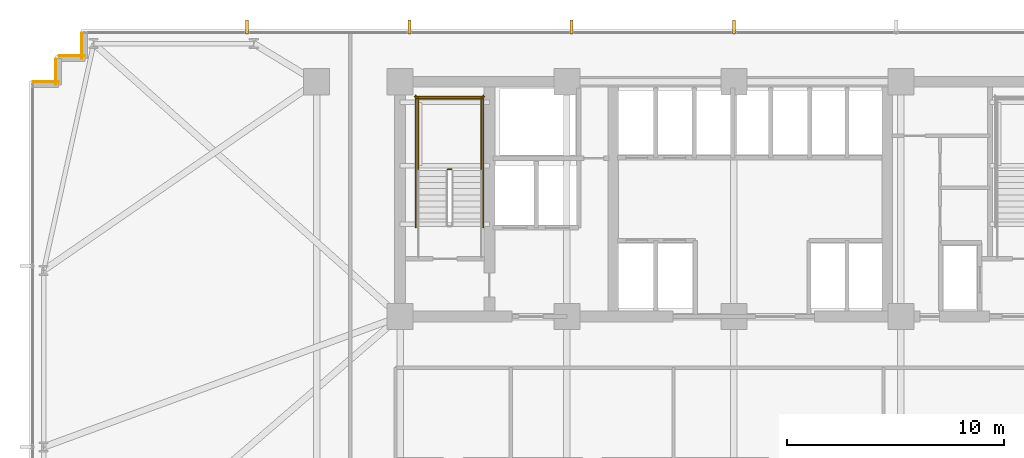
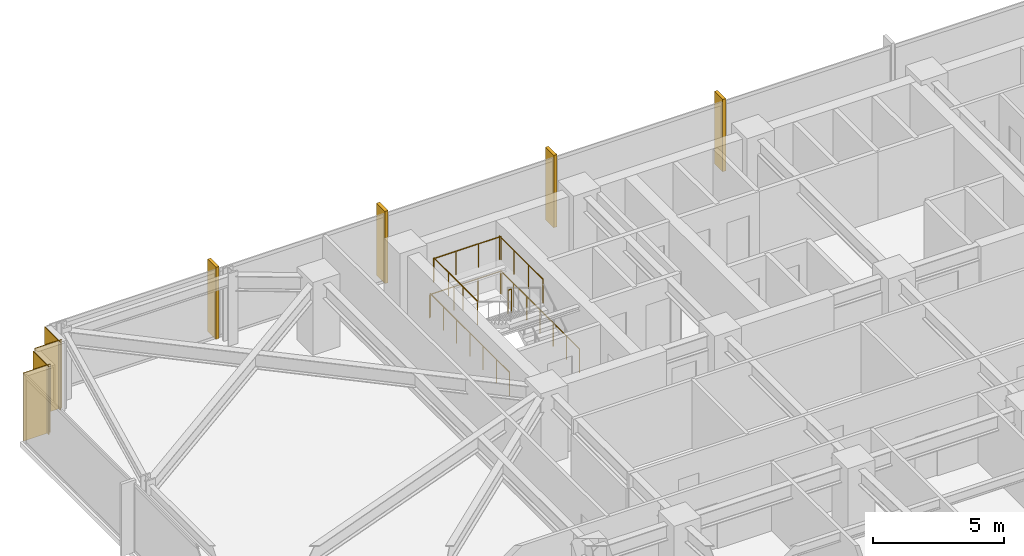
# One storey, part 30 of 32: 7 railings, 4 coverings, 4 shading devices.
"""IFC4 building model written with IfcOpenShell, lengths in metres."""

from ifc_helpers import new_model, si_unit, direction, frame, frame_2d, origin, origin_2d, place, context, subcontext, project, spatial, rectangle, circle, extrude, material, layer, layer_set, type_object, element, save


model = new_model("IFC4")

# Units and contexts
model_context = context("Model", 3, precision=1e-05, world=origin(), true_north=direction((0.0, 1.0)))
body_context = subcontext(model_context, "Body", "Model", "MODEL_VIEW")
ifc_project = project(units=[si_unit("LENGTHUNIT", "METRE"), si_unit("AREAUNIT", "SQUARE_METRE"), si_unit("VOLUMEUNIT", "CUBIC_METRE"), si_unit("PLANEANGLEUNIT", "RADIAN"), si_unit("MASSUNIT", "GRAM", prefix="KILO")], contexts=[model_context])

# Site, building, storey
site_placement = place(None, origin())
site = spatial("IfcSite", under=ifc_project, at=site_placement, CompositionType="ELEMENT")
building_placement = place(site_placement, origin())
building = spatial("IfcBuilding", under=site, at=building_placement, Name="Yelkora Congress Tower", CompositionType="ELEMENT")
storey_placement = place(building_placement, frame((0.0, 0.0, 57.60009765625)))
storey = spatial("IfcBuildingStorey", under=building, at=storey_placement, Name="L14", CompositionType="ELEMENT", Elevation=57.60009765625)

# Coverings
ifc_material_1 = material(Name="Anatolian bush-hammered limestone", Category="masonry")
ifc_layer_1 = layer(ifc_material_1, 0.0400390625)
ifc_layer_set_1 = layer_set([ifc_layer_1], Name="Anatolian bush-hammered limestone")
covering_type = type_object("IfcCoveringType", Name="COV-CLAD-SPANDREL-40", PredefinedType="CLADDING", material=ifc_layer_set_1)
covering_placement = place(storey_placement, frame((6.139892578125, 46.195068359375, 0.0), z_axis=(0.0, 0.0, 1.0), x_axis=(1.0, 0.0, 0.0)))
element("IfcCovering", 1, at=covering_placement, inside=storey, type_object=covering_type, Name="L14 Anatolian Limestone Cladding EW-L14-SR06", PredefinedType="CLADDING", context=body_context, shape_type="SweptSolid", body=[
    extrude(rectangle(XDim=1.2001953125, YDim=0.0400390625, at=frame_2d((0.60009765625, 0.0))), origin(), (0.0, 0.0, 1.0), 3.179931640625),
])
for number, where, z_axis, x_axis, name in (
    (2, (7.205078125, 46.06005859375, 0.0), (0.0, 0.0, 1.0), (0.0, 1.0, 0.0), "L14 Anatolian Limestone Cladding EW-L14-SR07"),
    (3, (7.340087890625, 47.39501953125, 0.0), (0.0, 0.0, 1.0), (1.0, 0.0, 0.0), "L14 Anatolian Limestone Cladding EW-L14-SR08"),
    (4, (8.405029296875, 47.260009765625, 0.0), (0.0, 0.0, 1.0), (0.0, 1.0, 0.0), "L14 Anatolian Limestone Cladding EW-L14-SR09"),
):
    element("IfcCovering", number, at=place(storey_placement, frame(where, z_axis=z_axis, x_axis=x_axis)), inside=storey, type_object=covering_type, Name=name, PredefinedType="CLADDING", context=body_context, shape_type="SweptSolid", body=[
        extrude(rectangle(XDim=1.199951171875, YDim=0.0400390625, at=frame_2d((0.60009765625, 0.0))), origin(), (0.0, 0.0, 1.0), 3.179931640625),
    ])

# Railings
ifc_material_2 = material(Name="Painted galvanised steel stair well guard with vertical infill", Category="steel")
ifc_layer_2 = layer(ifc_material_2, 0.06005859375)
ifc_layer_set_2 = layer_set([ifc_layer_2], Name="Painted galvanised steel stair well guard with vertical infill")
railing_type = type_object("IfcRailingType", Name="RAIL-STAIR-GUARD-1120", PredefinedType="GUARDRAIL", material=ifc_layer_set_2)
railing_1_placement = place(storey_placement, frame((25.39990234375, 42.169921875, 1.699951171875)))
element("IfcRailing", 5, at=railing_1_placement, inside=storey, type_object=railing_type, Name="ST-01 L14 Stair Well Guardrail 2", PredefinedType="GUARDRAIL", context=body_context, shape_type="SweptSolid", body=[
    extrude(circle(Radius=0.02392578125, at=origin_2d()), frame((0.0, 0.0, 1.09619140625), z_axis=(-1.0, 0.0, 0.0), x_axis=(0.0, -1.0, 0.0)), (0.0, 0.0, 1.0), 0.159912109375),
    extrude(circle(Radius=0.02099609375, at=origin_2d()), origin(), (0.0, 0.0, 1.0), 1.072021484375),
    extrude(circle(Radius=0.02099609375, at=origin_2d()), frame((-0.159912109375, 0.0, 0.0)), (0.0, 0.0, 1.0), 1.072021484375),
])
for number, where, name in (
    (6, (26.77001953125, 42.1201171875, 1.699951171875), "ST-01 L14 Stair Well Guardrail 3"),
    (7, (23.8701171875, 42.1201171875, 1.699951171875), "ST-01 L14 Stair Well Guardrail 4"),
):
    element("IfcRailing", number, at=place(storey_placement, frame(where)), inside=storey, type_object=railing_type, Name=name, PredefinedType="GUARDRAIL", context=body_context, shape_type="SweptSolid", body=[
        extrude(circle(Radius=0.02392578125, at=origin_2d()), frame((0.0, 0.0, 1.09619140625), z_axis=(0.0, 1.0, 0.0), x_axis=(-1.0, 0.0, 0.0)), (0.0, 0.0, 1.0), 3.349853515625),
        extrude(circle(Radius=0.02099609375, at=origin_2d()), origin(), (0.0, 0.0, 1.0), 1.072021484375),
        extrude(circle(Radius=0.02099609375, at=origin_2d()), frame((0.0, 1.11669921875, 0.0)), (0.0, 0.0, 1.0), 1.072021484375),
        extrude(circle(Radius=0.02099609375, at=origin_2d()), frame((0.0, 2.233154296875, 0.0)), (0.0, 0.0, 1.0), 1.072021484375),
        extrude(circle(Radius=0.02099609375, at=origin_2d()), frame((0.0, 3.349853515625, 0.0)), (0.0, 0.0, 1.0), 1.072021484375),
    ])
railing_2_placement = place(storey_placement, frame((26.820068359375, 45.419921875, 1.699951171875)))
element("IfcRailing", 8, at=railing_2_placement, inside=storey, type_object=railing_type, Name="ST-01 L14 Stair Well Guardrail 5", PredefinedType="GUARDRAIL", context=body_context, shape_type="SweptSolid", body=[
    extrude(circle(Radius=0.02392578125, at=origin_2d()), frame((0.0, 0.0, 1.09619140625), z_axis=(-1.0, 0.0, 0.0), x_axis=(0.0, -1.0, 0.0)), (0.0, 0.0, 1.0), 3.0),
    extrude(circle(Radius=0.02099609375, at=origin_2d()), origin(), (0.0, 0.0, 1.0), 1.072021484375),
    extrude(circle(Radius=0.02099609375, at=origin_2d()), frame((-1.0, 0.0, 0.0)), (0.0, 0.0, 1.0), 1.072021484375),
    extrude(circle(Radius=0.02099609375, at=origin_2d()), frame((-2.0, 0.0, 0.0)), (0.0, 0.0, 1.0), 1.072021484375),
    extrude(circle(Radius=0.02099609375, at=origin_2d()), frame((-3.0, 0.0, 0.0)), (0.0, 0.0, 1.0), 1.072021484375),
])
for number, where, name in (
    (9, (26.8701171875, 39.5, 0.0), "ST-01 L14 Stair Well Guardrail 10"),
    (10, (23.77001953125, 39.5, 0.0), "ST-01 L14 Stair Well Guardrail 11"),
):
    element("IfcRailing", number, at=place(storey_placement, frame(where)), inside=storey, type_object=railing_type, Name=name, PredefinedType="GUARDRAIL", context=body_context, shape_type="SweptSolid", body=[
        extrude(circle(Radius=0.02392578125, at=origin_2d()), frame((0.0, 0.0, 1.09619140625), z_axis=(0.0, 1.0, 0.0), x_axis=(-1.0, 0.0, 0.0)), (0.0, 0.0, 1.0), 6.070068359375),
        extrude(circle(Radius=0.02099609375, at=origin_2d()), origin(), (0.0, 0.0, 1.0), 1.072021484375),
        extrude(circle(Radius=0.02099609375, at=origin_2d()), frame((0.0, 1.01171875, 0.0)), (0.0, 0.0, 1.0), 1.072021484375),
        extrude(circle(Radius=0.02099609375, at=origin_2d()), frame((0.0, 2.0234375, 0.0)), (0.0, 0.0, 1.0), 1.072021484375),
        extrude(circle(Radius=0.02099609375, at=origin_2d()), frame((0.0, 3.03515625, 0.0)), (0.0, 0.0, 1.0), 1.072021484375),
        extrude(circle(Radius=0.02099609375, at=origin_2d()), frame((0.0, 4.046630859375, 0.0)), (0.0, 0.0, 1.0), 1.072021484375),
        extrude(circle(Radius=0.02099609375, at=origin_2d()), frame((0.0, 5.058349609375, 0.0)), (0.0, 0.0, 1.0), 1.072021484375),
        extrude(circle(Radius=0.02099609375, at=origin_2d()), frame((0.0, 6.070068359375, 0.0)), (0.0, 0.0, 1.0), 1.072021484375),
    ])
railing_3_placement = place(storey_placement, frame((26.919921875, 45.52001953125, 0.0)))
element("IfcRailing", 11, at=railing_3_placement, inside=storey, type_object=railing_type, Name="ST-01 L14 Stair Well Guardrail 12", PredefinedType="GUARDRAIL", context=body_context, shape_type="SweptSolid", body=[
    extrude(circle(Radius=0.02392578125, at=origin_2d()), frame((0.0, 0.0, 1.09619140625), z_axis=(-1.0, 0.0, 0.0), x_axis=(0.0, -1.0, 0.0)), (0.0, 0.0, 1.0), 3.199951171875),
    extrude(circle(Radius=0.02099609375, at=origin_2d()), origin(), (0.0, 0.0, 1.0), 1.072021484375),
    extrude(circle(Radius=0.02099609375, at=origin_2d()), frame((-1.066650390625, 0.0, 0.0)), (0.0, 0.0, 1.0), 1.072021484375),
    extrude(circle(Radius=0.02099609375, at=origin_2d()), frame((-2.13330078125, 0.0, 0.0)), (0.0, 0.0, 1.0), 1.072021484375),
    extrude(circle(Radius=0.02099609375, at=origin_2d()), frame((-3.199951171875, 0.0, 0.0)), (0.0, 0.0, 1.0), 1.072021484375),
])

# Shading devices
ifc_material_3 = material(Name="Champagne anodised aluminium", Category="aluminium")
ifc_layer_3 = layer(ifc_material_3, 3.39990234375)
ifc_layer_set_3 = layer_set([ifc_layer_3], Name="Champagne anodised aluminium")
shading_device_type = type_object("IfcShadingDeviceType", Name="SHD-FIN-ALU-640", PredefinedType="USERDEFINED", material=ifc_layer_set_3)
for number, where, z_axis, x_axis, name in (
    (12, (16.0048828125, 48.719970703125, -0.030029296875), (0.0, 0.0, 1.0), (1.0, 0.0, 0.0), "L14 Vertical Anodised Solar Fin 10-1"),
    (13, (23.469970703125, 48.719970703125, -0.030029296875), (0.0, 0.0, 1.0), (1.0, 0.0, 0.0), "L14 Vertical Anodised Solar Fin 10-2"),
    (14, (30.93505859375, 48.719970703125, -0.030029296875), (0.0, 0.0, 1.0), (1.0, 0.0, 0.0), "L14 Vertical Anodised Solar Fin 10-3"),
    (15, (38.39990234375, 48.719970703125, -0.030029296875), (0.0, 0.0, 1.0), (1.0, 0.0, 0.0), "L14 Vertical Anodised Solar Fin 10-4"),
):
    element("IfcShadingDevice", number, at=place(storey_placement, frame(where, z_axis=z_axis, x_axis=x_axis)), inside=storey, type_object=shading_device_type, Name=name, ObjectType="FIN", PredefinedType="USERDEFINED", context=body_context, shape_type="SweptSolid", body=[
        extrude(rectangle(XDim=0.139892578125, YDim=0.639892578125, at=origin_2d()), origin(), (0.0, 0.0, 1.0), 3.3798828125),
    ])

save(model, "model.ifc")
